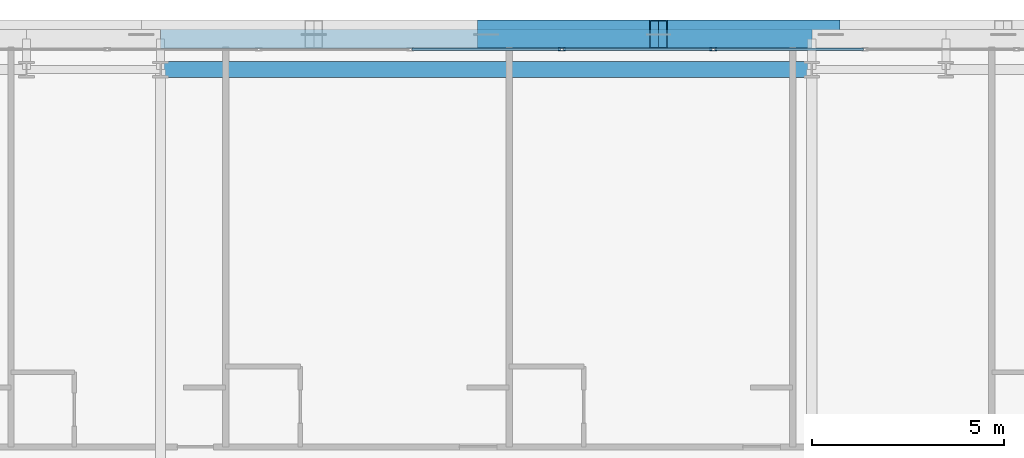
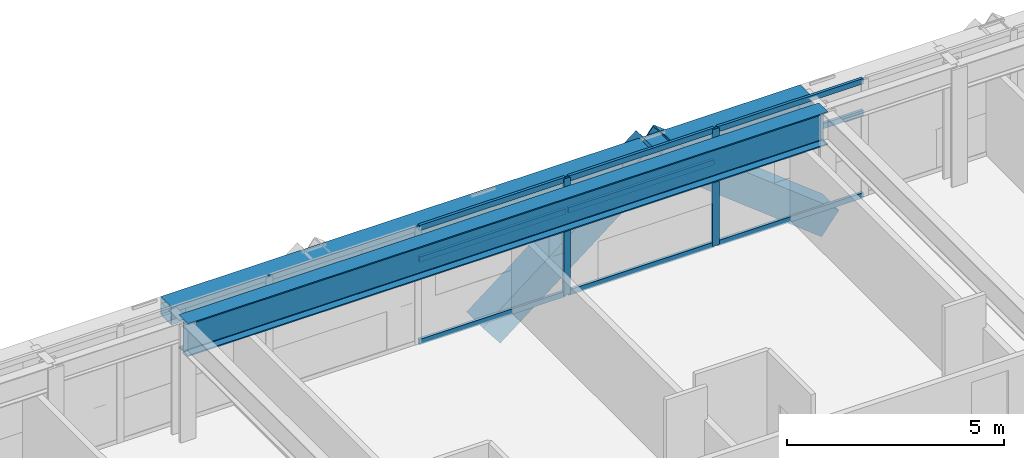
# One storey, part 19 of 36: 13 members, 2 beams, 1 element without a shape of its own.
"""IFC4 building model written with IfcOpenShell, lengths in metres."""

from ifc_helpers import new_model, si_unit, direction, frame, origin, origin_2d, place, context, subcontext, project, spatial, hollow_rectangle, i_section, extrude, source, transform, mapped, material, layer, layer_set, material_profile, profile_set, type_object, element, aggregate, save


model = new_model("IFC4")

# Units and contexts
model_context = context("Model", 3, precision=1e-05, world=origin(), true_north=direction((0.0, 1.0)))
body_context = subcontext(model_context, "Body", "Model", "MODEL_VIEW")
ifc_project = project(units=[si_unit("LENGTHUNIT", "METRE"), si_unit("AREAUNIT", "SQUARE_METRE"), si_unit("VOLUMEUNIT", "CUBIC_METRE"), si_unit("PLANEANGLEUNIT", "RADIAN"), si_unit("MASSUNIT", "GRAM", prefix="KILO")], contexts=[model_context])

# Site, building, storey
site_placement = place(None, origin())
site = spatial("IfcSite", under=ifc_project, at=site_placement, CompositionType="ELEMENT")
building_placement = place(site_placement, origin())
building = spatial("IfcBuilding", under=site, at=building_placement, Name="Ocotamira Hotel", CompositionType="ELEMENT")
storey_placement = place(building_placement, frame((0.0, 0.0, 147.60009765625)))
storey = spatial("IfcBuildingStorey", under=building, at=storey_placement, Name="L37", CompositionType="ELEMENT", Elevation=147.60009765625)

# Beams
ifc_material_1 = material(Name="Steel ASTM A992 Grade 50", Category="steel")
ifc_material_profile_1 = material_profile(ifc_material_1, i_section(OverallWidth=0.41796875, OverallDepth=0.927001953125, WebThickness=0.019287109375, FlangeThickness=0.031982421875, FilletRadius=0.02392578125, at=origin_2d()), Name="W36X231")
ifc_profile_set_1 = profile_set([ifc_material_profile_1], Name="Steel ASTM A992 Grade 50")
beam_type_1 = type_object("IfcBeamType", Name="BM-GIRD-W36X231", PredefinedType="BEAM", material=ifc_profile_set_1)
shared_shape_1 = source(origin(), body_context, "Body", "SweptSolid", [
    extrude(i_section(OverallWidth=0.41796875, OverallDepth=0.927001953125, WebThickness=0.019287109375, FlangeThickness=0.031982421875, FilletRadius=0.02392578125, at=origin_2d()), origin(), (0.0, 0.0, 1.0), 17.0),
])
beam_1_placement = place(storey_placement, frame((23.5, 49.050048828125, 2.81640625), z_axis=(1.0, 0.0, 0.0), x_axis=(0.0, 1.0, 0.0)))
element("IfcBeam", 1, at=beam_1_placement, inside=storey, type_object=beam_type_1, Name="L37 Girder Y49.05 X23.5-40.5", PredefinedType="BEAM", context=body_context, shape_type="MappedRepresentation", body=[
    mapped(shared_shape_1, transform((0.0, 0.0, 0.0), scale=1.0)),
])
ifc_material_2 = material(Name="Steel ASTM A500 Grade C", Category="steel")
ifc_material_profile_2 = material_profile(ifc_material_2, hollow_rectangle(XDim=0.5, YDim=0.5, WallThickness=0.02001953125, at=origin_2d()), Name="HSS500X500X20")
ifc_profile_set_2 = profile_set([ifc_material_profile_2], Name="Steel ASTM A500 Grade C")
beam_type_2 = type_object("IfcBeamType", Name="BM-SPAN-HSS500", PredefinedType="USERDEFINED", material=ifc_profile_set_2)
shared_shape_2 = source(origin(), body_context, "Body", "SweptSolid", [
    extrude(hollow_rectangle(XDim=0.5, YDim=0.5, WallThickness=0.02001953125, at=origin_2d()), origin(), (0.0, 0.0, 1.0), 17.0),
])
beam_2_placement = place(storey_placement, frame((23.5, 49.85009765625, 3.02978515625), z_axis=(1.0, 0.0, 0.0), x_axis=(0.0, 1.0, 0.0)))
element("IfcBeam", 2, at=beam_2_placement, inside=storey, type_object=beam_type_2, Name="L37 Edge Spandrel N X23.5-40.5", ObjectType="SPANDREL", PredefinedType="USERDEFINED", context=body_context, shape_type="MappedRepresentation", body=[
    mapped(shared_shape_2, transform((0.0, 0.0, 0.0), scale=1.0)),
])

# Members
ifc_material_3 = material(Name="Pale-metal coated steel ASTM A913 Grade 65", Category="steel")
ifc_material_profile_3 = material_profile(ifc_material_3, hollow_rectangle(XDim=0.75, YDim=0.75, WallThickness=0.028076171875, at=origin_2d()), Name="BOX750X750X28")
ifc_profile_set_3 = profile_set([ifc_material_profile_3], Name="Pale-metal coated steel ASTM A913 Grade 65")
member_type_1 = type_object("IfcMemberType", Name="MEM-EXO-BOX750", PredefinedType="BRACE", material=ifc_profile_set_3)
shared_shape_3 = source(origin(), body_context, "Body", "SweptSolid", [
    extrude(hollow_rectangle(XDim=0.75, YDim=0.75, WallThickness=0.028076171875, at=origin_2d()), origin(), (0.0, 0.0, 1.0), 5.713134765625),
])
for number, where, z_axis, x_axis, name in (
    (3, (32.0, 49.969970703125, -0.489990234375), (0.787671799809, 0.0, 0.616095070412), (0.0, 1.0, 0.0), "L37 Exoskeleton Diagrid N2.1"),
    (4, (41.0, 49.969970703125, -0.489990234375), (-0.787671799809, 0.0, 0.616095070412), (0.0, -1.0, 0.0), "L37 Exoskeleton Diagrid N2.2"),
):
    element("IfcMember", number, at=place(storey_placement, frame(where, z_axis=z_axis, x_axis=x_axis)), inside=storey, type_object=member_type_1, Name=name, PredefinedType="BRACE", context=body_context, shape_type="MappedRepresentation", body=[
        mapped(shared_shape_3, transform((0.0, 0.0, 0.0), scale=1.0)),
    ])

# Curtain wall, members
ifc_material_4 = material(Name="Anodised pale-metal aluminium and solar glass", Category="aluminium")
ifc_layer = layer(ifc_material_4, 0.179931640625)
ifc_layer_set = layer_set([ifc_layer], Name="Anodised pale-metal aluminium and solar glass")
curtain_wall_type = type_object("IfcCurtainWallType", Name="CW-SYS3-Z2", PredefinedType="NOTDEFINED", material=ifc_layer_set)
curtain_wall_placement = place(storey_placement, origin())
curtain_wall = element("IfcCurtainWall", 5, at=curtain_wall_placement, inside=storey, type_object=curtain_wall_type, Name="L37 Curtain Wall CW-3 CW-L37-N", PredefinedType="NOTDEFINED")
ifc_material_5 = material(Name="Anodised pale-metal aluminium 6063-T6", Category="aluminium")
ifc_material_profile_4 = material_profile(ifc_material_5, hollow_rectangle(XDim=0.074951171875, YDim=0.14990234375, WallThickness=0.006103515625, at=origin_2d()), Name="HSS150X75X6")
ifc_profile_set_4 = profile_set([ifc_material_profile_4], Name="Anodised pale-metal aluminium 6063-T6")
member_type_2 = type_object("IfcMemberType", Name="CWT-150X75", PredefinedType="USERDEFINED", material=ifc_profile_set_4)
shared_shape_4 = source(origin(), body_context, "Body", "SweptSolid", [
    extrude(hollow_rectangle(XDim=0.074951171875, YDim=0.14990234375, WallThickness=0.006103515625, at=origin_2d()), origin(), (0.0, 0.0, 1.0), 3.87548828125),
])
member_1_placement = place(storey_placement, frame((30.062255859375, 49.580078125, 0.037353515625), z_axis=(1.0, 0.0, 0.0), x_axis=(0.0, 1.0, 0.0)))
member_1 = element("IfcMember", 6, at=member_1_placement, type_object=member_type_2, Name="CW-3 transom 5.1", ObjectType="TRANSOM", PredefinedType="USERDEFINED", context=body_context, shape_type="MappedRepresentation", body=[
    mapped(shared_shape_4, transform((0.0, 0.0, 0.0), scale=1.0)),
])
member_2_placement = place(storey_placement, frame((30.062255859375, 49.580078125, 2.349853515625), z_axis=(1.0, 0.0, 0.0), x_axis=(0.0, 1.0, 0.0)))
member_2 = element("IfcMember", 7, at=member_2_placement, type_object=member_type_2, Name="CW-3 transom 5.2", ObjectType="TRANSOM", PredefinedType="USERDEFINED", context=body_context, shape_type="MappedRepresentation", body=[
    mapped(shared_shape_4, transform((0.0, 0.0, 0.0), scale=1.0)),
])
member_3_placement = place(storey_placement, frame((30.062255859375, 49.580078125, 3.242431640625), z_axis=(1.0, 0.0, 0.0), x_axis=(0.0, 1.0, 0.0)))
member_3 = element("IfcMember", 8, at=member_3_placement, type_object=member_type_2, Name="CW-3 transom 5.3", ObjectType="TRANSOM", PredefinedType="USERDEFINED", context=body_context, shape_type="MappedRepresentation", body=[
    mapped(shared_shape_4, transform((0.0, 0.0, 0.0), scale=1.0)),
])
member_4_placement = place(storey_placement, frame((34.017822265625, 49.580078125, 0.037353515625), z_axis=(1.0, 0.0, 0.0), x_axis=(0.0, 1.0, 0.0)))
member_4 = element("IfcMember", 9, at=member_4_placement, type_object=member_type_2, Name="CW-3 transom 6.1", ObjectType="TRANSOM", PredefinedType="USERDEFINED", context=body_context, shape_type="MappedRepresentation", body=[
    mapped(shared_shape_4, transform((0.0, 0.0, 0.0), scale=1.0)),
])
member_5_placement = place(storey_placement, frame((34.017822265625, 49.580078125, 2.349853515625), z_axis=(1.0, 0.0, 0.0), x_axis=(0.0, 1.0, 0.0)))
member_5 = element("IfcMember", 10, at=member_5_placement, type_object=member_type_2, Name="CW-3 transom 6.2", ObjectType="TRANSOM", PredefinedType="USERDEFINED", context=body_context, shape_type="MappedRepresentation", body=[
    mapped(shared_shape_4, transform((0.0, 0.0, 0.0), scale=1.0)),
])
member_6_placement = place(storey_placement, frame((34.017822265625, 49.580078125, 3.242431640625), z_axis=(1.0, 0.0, 0.0), x_axis=(0.0, 1.0, 0.0)))
member_6 = element("IfcMember", 11, at=member_6_placement, type_object=member_type_2, Name="CW-3 transom 6.3", ObjectType="TRANSOM", PredefinedType="USERDEFINED", context=body_context, shape_type="MappedRepresentation", body=[
    mapped(shared_shape_4, transform((0.0, 0.0, 0.0), scale=1.0)),
])
member_7_placement = place(storey_placement, frame((37.973388671875, 49.580078125, 0.037353515625), z_axis=(1.0, 0.0, 0.0), x_axis=(0.0, 1.0, 0.0)))
member_7 = element("IfcMember", 12, at=member_7_placement, type_object=member_type_2, Name="CW-3 transom 7.1", ObjectType="TRANSOM", PredefinedType="USERDEFINED", context=body_context, shape_type="MappedRepresentation", body=[
    mapped(shared_shape_4, transform((0.0, 0.0, 0.0), scale=1.0)),
])
member_8_placement = place(storey_placement, frame((37.973388671875, 49.580078125, 2.349853515625), z_axis=(1.0, 0.0, 0.0), x_axis=(0.0, 1.0, 0.0)))
member_8 = element("IfcMember", 13, at=member_8_placement, type_object=member_type_2, Name="CW-3 transom 7.2", ObjectType="TRANSOM", PredefinedType="USERDEFINED", context=body_context, shape_type="MappedRepresentation", body=[
    mapped(shared_shape_4, transform((0.0, 0.0, 0.0), scale=1.0)),
])
member_9_placement = place(storey_placement, frame((37.973388671875, 49.580078125, 3.242431640625), z_axis=(1.0, 0.0, 0.0), x_axis=(0.0, 1.0, 0.0)))
member_9 = element("IfcMember", 14, at=member_9_placement, type_object=member_type_2, Name="CW-3 transom 7.3", ObjectType="TRANSOM", PredefinedType="USERDEFINED", context=body_context, shape_type="MappedRepresentation", body=[
    mapped(shared_shape_4, transform((0.0, 0.0, 0.0), scale=1.0)),
])
ifc_material_profile_5 = material_profile(ifc_material_5, hollow_rectangle(XDim=0.080078125, YDim=0.179931640625, WallThickness=0.006103515625, at=origin_2d()), Name="HSS180X80X6")
ifc_profile_set_5 = profile_set([ifc_material_profile_5], Name="Anodised pale-metal aluminium 6063-T6")
member_type_3 = type_object("IfcMemberType", Name="CWM-180X75", PredefinedType="MULLION", material=ifc_profile_set_5)
shared_shape_5 = source(origin(), body_context, "Body", "SweptSolid", [
    extrude(hollow_rectangle(XDim=0.080078125, YDim=0.179931640625, WallThickness=0.006103515625, at=origin_2d()), origin(), (0.0, 0.0, 1.0), 3.27978515625),
])
member_10_placement = place(storey_placement, frame((33.977783203125, 49.580078125, 0.0), z_axis=(0.0, 0.0, 1.0), x_axis=(0.0, 1.0, 0.0)))
member_10 = element("IfcMember", 15, at=member_10_placement, type_object=member_type_3, Name="CW-3 mullion 6", PredefinedType="MULLION", context=body_context, shape_type="MappedRepresentation", body=[
    mapped(shared_shape_5, transform((0.0, 0.0, 0.0), scale=1.0)),
])
member_11_placement = place(storey_placement, frame((37.933349609375, 49.580078125, 0.0), z_axis=(0.0, 0.0, 1.0), x_axis=(0.0, 1.0, 0.0)))
member_11 = element("IfcMember", 16, at=member_11_placement, type_object=member_type_3, Name="CW-3 mullion 7", PredefinedType="MULLION", context=body_context, shape_type="MappedRepresentation", body=[
    mapped(shared_shape_5, transform((0.0, 0.0, 0.0), scale=1.0)),
])
aggregate(curtain_wall, [member_10, member_11, member_1, member_2, member_3, member_4, member_5, member_6, member_7, member_8, member_9])

save(model, "model.ifc")
